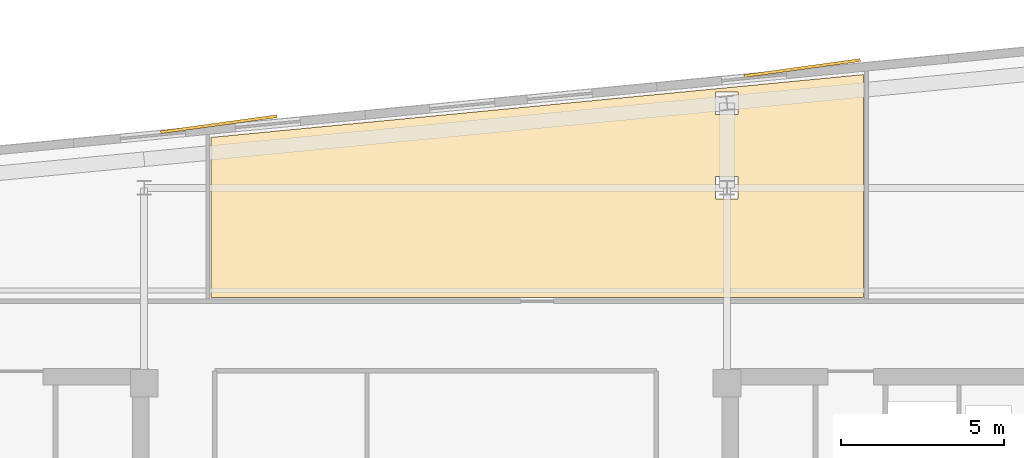
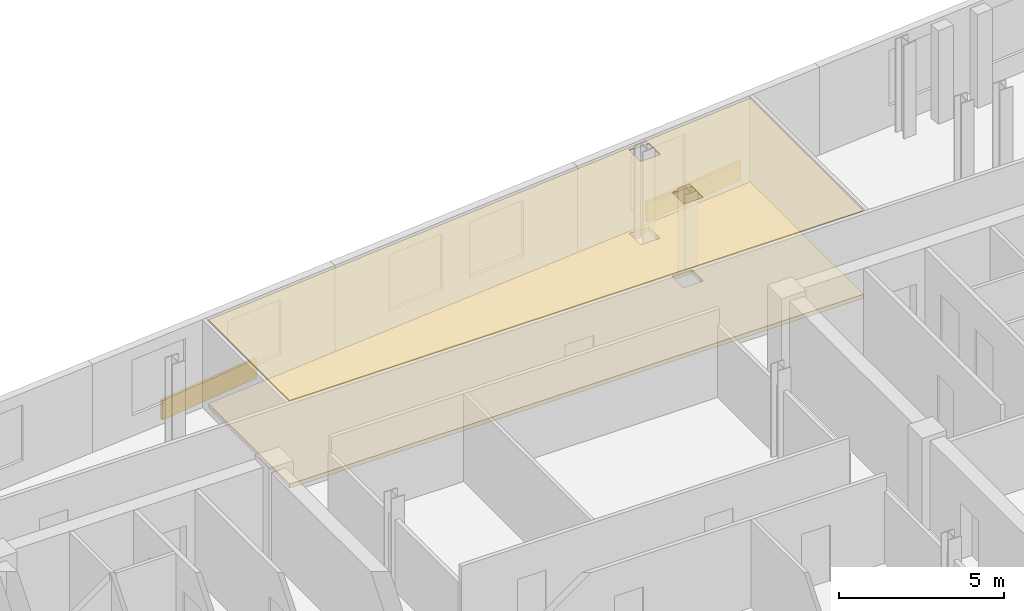
# One storey, part 8 of 8: 4 coverings.
"""IFC4 building model written with IfcOpenShell, lengths in metres."""

from ifc_helpers import new_model, si_unit, direction, frame, origin, origin_2d, place, context, subcontext, project, spatial, polyline, rectangle, outline, extrude, material, layer, layer_set, type_object, element, save


model = new_model("IFC4")

# Units and contexts
model_context = context("Model", 3, precision=1e-05, world=origin(), true_north=direction((0.0, 1.0)))
body_context = subcontext(model_context, "Body", "Model", "MODEL_VIEW")
ifc_project = project(units=[si_unit("LENGTHUNIT", "METRE"), si_unit("AREAUNIT", "SQUARE_METRE"), si_unit("VOLUMEUNIT", "CUBIC_METRE"), si_unit("PLANEANGLEUNIT", "RADIAN"), si_unit("MASSUNIT", "GRAM", prefix="KILO")], contexts=[model_context])

# Site, building, storey
site_placement = place(None, origin())
site = spatial("IfcSite", under=ifc_project, at=site_placement, CompositionType="ELEMENT")
building_placement = place(site_placement, origin())
building = spatial("IfcBuilding", under=site, at=building_placement, Name="Velakula Bourse", CompositionType="ELEMENT")
storey_placement = place(building_placement, frame((0.0, 0.0, 251.699951171875)))
storey = spatial("IfcBuildingStorey", under=building, at=storey_placement, Name="L68", CompositionType="ELEMENT", Elevation=251.699951171875)

# Coverings
ifc_material_1 = material(Name="Buff kilned clay facing brick masonry", Category="masonry")
ifc_layer_1 = layer(ifc_material_1, 0.074951171875, Name="Buff kilned clay facing brick masonry", Category="masonry")
ifc_layer_set_1 = layer_set([ifc_layer_1], Name="Buff kilned clay facing brick masonry")
covering_type_1 = type_object("IfcCoveringType", Name="COV-BRK-SPN-75", PredefinedType="CLADDING", material=ifc_layer_set_1)
for number, where, z_axis, x_axis, name in (
    (1, (-6.655029296875, 16.555908203125, 0.0), (0.0, 0.0, 1.0), (0.990629029058, 0.136580111242, 0.0), "L68 Folded Brick Facade Cladding Panel N-B2"),
    (2, (11.26220703125, 18.281005859375, 0.0), (0.0, 0.0, 1.0), (0.990629029058, 0.136580111242, 0.0), "L68 Folded Brick Facade Cladding Panel N-B4"),
):
    element("IfcCovering", number, at=place(storey_placement, frame(where, z_axis=z_axis, x_axis=x_axis)), inside=storey, type_object=covering_type_1, Name=name, PredefinedType="CLADDING", context=body_context, shape_type="SweptSolid", body=[
        extrude(rectangle(XDim=3.60009765625, YDim=0.090087890625, at=origin_2d()), origin(), (0.0, 0.0, 1.0), 0.719970703125),
    ])
ifc_material_2 = material(Name="Mineral-fibre acoustic suspended ceiling tile", Category="mineral")
ifc_layer_2 = layer(ifc_material_2, 0.0400390625, Name="Mineral-fibre acoustic suspended ceiling tile", Category="mineral")
ifc_layer_set_2 = layer_set([ifc_layer_2], Name="Mineral-fibre acoustic suspended ceiling tile")
covering_type_2 = type_object("IfcCoveringType", Name="COV-CEIL-AC-40", PredefinedType="CEILING", material=ifc_layer_set_2)
covering_1_placement = place(storey_placement, frame((0.0, 0.0, 3.199951171875)))
element("IfcCovering", 3, at=covering_1_placement, inside=storey, type_object=covering_type_2, Name="L68 Arbitration Conference Room Acoustic Suspended Ceiling", PredefinedType="CEILING", context=body_context, shape_type="SweptSolid", body=[
    extrude(outline(polyline([(13.14208984375, 11.22998046875), (-6.89599609375, 11.22998046875), (-6.89599609375, 16.15087890625), (13.14208984375, 18.080322265625), (13.14208984375, 11.22998046875)]), holes=[polyline([(8.60498046875, 14.2548828125), (9.294921875, 14.2548828125), (9.294921875, 14.945068359375), (8.60498046875, 14.945068359375), (8.60498046875, 14.2548828125)]), polyline([(8.60498046875, 16.859619140625), (9.294921875, 16.859619140625), (9.294921875, 17.549560546875), (8.60498046875, 17.549560546875), (8.60498046875, 16.859619140625)])]), origin(), (0.0, 0.0, 1.0), 0.0400390625),
])
ifc_material_3 = material(Name="Calcium-sulphate antistatic raised access flooring", Category="gypsum")
ifc_layer_3 = layer(ifc_material_3, 0.14990234375, Name="Calcium-sulphate antistatic raised access flooring", Category="gypsum")
ifc_layer_set_3 = layer_set([ifc_layer_3], Name="Calcium-sulphate antistatic raised access flooring")
covering_type_3 = type_object("IfcCoveringType", Name="COV-FLR-RAISED-150", PredefinedType="FLOORING", material=ifc_layer_set_3)
covering_2_placement = place(storey_placement, origin())
element("IfcCovering", 4, at=covering_2_placement, inside=storey, type_object=covering_type_3, Name="L68 Arbitration Conference Room Raised Trading Access Floor", PredefinedType="FLOORING", context=body_context, shape_type="SweptSolid", body=[
    extrude(outline(polyline([(13.14208984375, 11.22998046875), (-6.89599609375, 11.22998046875), (-6.89599609375, 16.15087890625), (13.14208984375, 18.080322265625), (13.14208984375, 11.22998046875)]), holes=[polyline([(8.60498046875, 14.2548828125), (9.294921875, 14.2548828125), (9.294921875, 14.945068359375), (8.60498046875, 14.945068359375), (8.60498046875, 14.2548828125)]), polyline([(8.60498046875, 16.859619140625), (9.294921875, 16.859619140625), (9.294921875, 17.549560546875), (8.60498046875, 17.549560546875), (8.60498046875, 16.859619140625)])]), origin(), (0.0, 0.0, 1.0), 0.150146484375),
])

save(model, "model.ifc")
